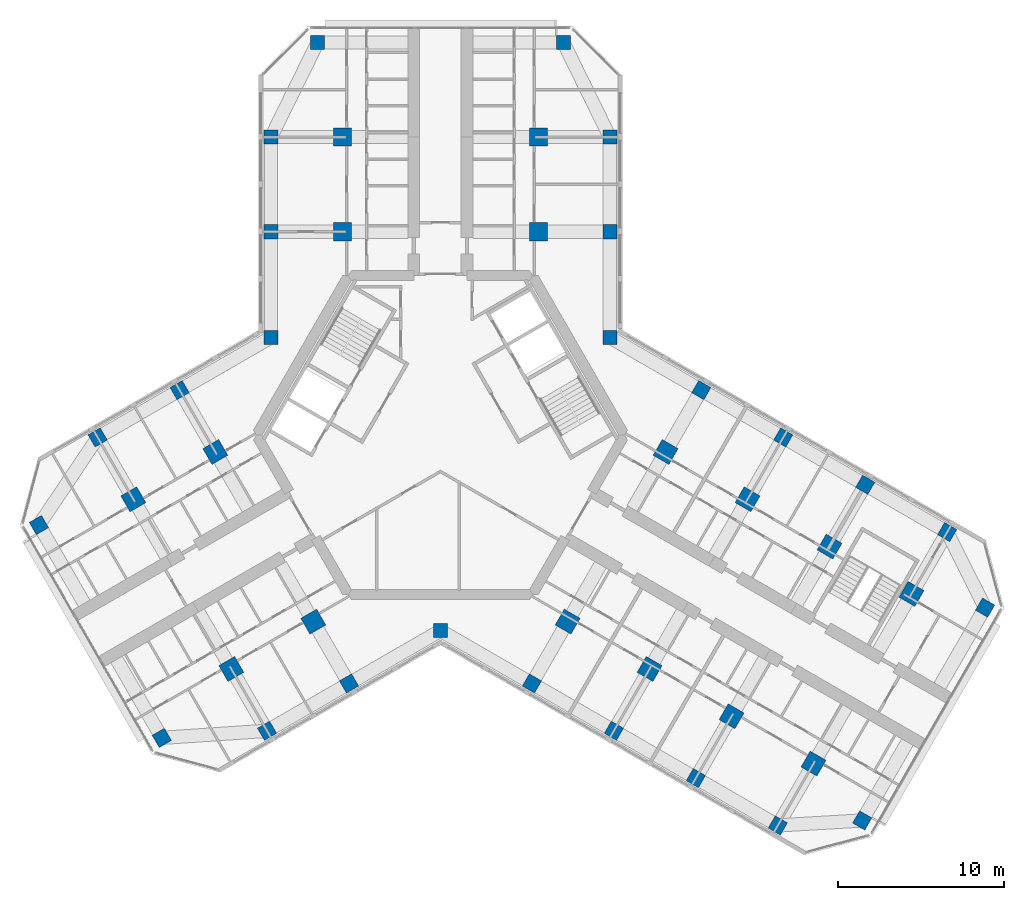
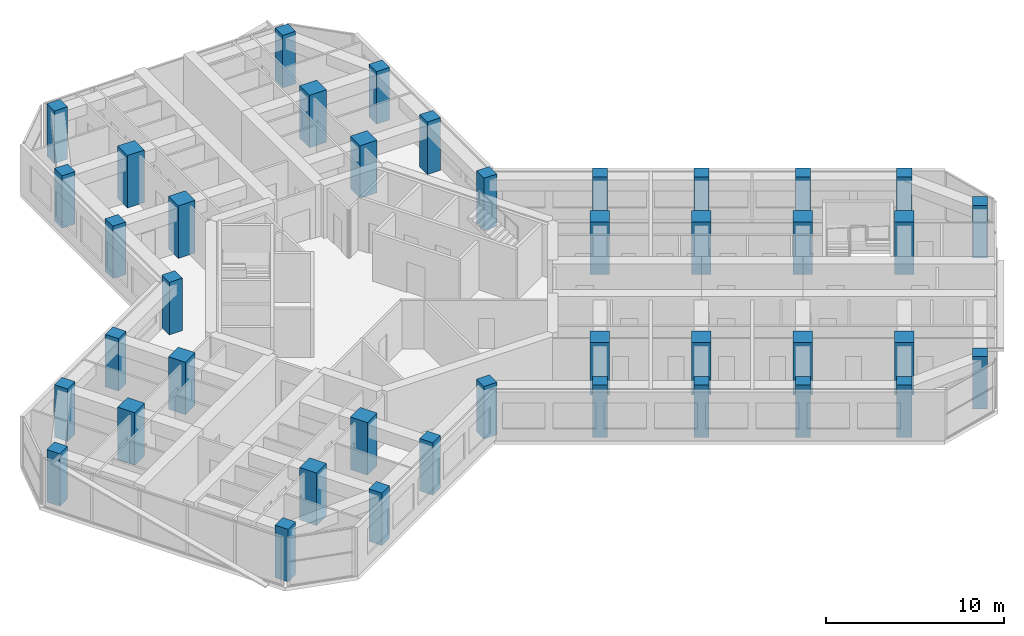
# One storey, part 1 of 16: 41 columns.
"""IFC4 building model written with IfcOpenShell, lengths in metres."""

from ifc_helpers import new_model, si_unit, direction, frame, origin, origin_2d, place, context, subcontext, project, spatial, rectangle, extrude, material, material_profile, profile_set, type_object, element, save


model = new_model("IFC4")

# Units and contexts
model_context = context("Model", 3, precision=1e-05, world=origin(), true_north=direction((0.0, 1.0)))
body_context = subcontext(model_context, "Body", "Model", "MODEL_VIEW")
ifc_project = project(units=[si_unit("LENGTHUNIT", "METRE"), si_unit("AREAUNIT", "SQUARE_METRE"), si_unit("VOLUMEUNIT", "CUBIC_METRE"), si_unit("PLANEANGLEUNIT", "RADIAN"), si_unit("MASSUNIT", "GRAM", prefix="KILO")], contexts=[model_context])

# Site, building, storey
site_placement = place(None, origin())
site = spatial("IfcSite", under=ifc_project, at=site_placement, CompositionType="ELEMENT")
building_placement = place(site_placement, origin())
building = spatial("IfcBuilding", under=site, at=building_placement, Name="Kosmar Iwan School Tower", CompositionType="ELEMENT")
storey_placement = place(building_placement, frame((0.0, 0.0, 249.60009765625)))
storey = spatial("IfcBuildingStorey", under=building, at=storey_placement, Name="L63", CompositionType="ELEMENT", Elevation=249.60009765625)

# Columns
ifc_material_1 = material(Name="Concrete C50/60", Category="concrete")
ifc_material_profile_1 = material_profile(ifc_material_1, rectangle(XDim=0.85009765625, YDim=0.85009765625, at=origin_2d()), Name="RC 850x850 + HD 400x347")
ifc_profile_set_1 = profile_set([ifc_material_profile_1], Name="Concrete C50/60")
column_type_1 = type_object("IfcColumnType", Name="Composite column 850x850 HD 400x347", PredefinedType="COLUMN", material=ifc_profile_set_1)
for number, where, z_axis, x_axis, name in (
    (1, (-10.199951171875, 12.25, 0.0), (0.0, 0.0, 1.0), (0.0, 1.0, 0.0), "Column AL1 L63"),
    (2, (-10.199951171875, 17.949951171875, 0.0), (0.0, 0.0, 1.0), (0.0, 1.0, 0.0), "Column AL2 L63"),
    (3, (-7.39990234375, 23.64990234375, 0.0), (0.0, 0.0, 1.0), (0.0, 1.0, 0.0), "Column ALTIP L63"),
    (4, (10.199951171875, 12.25, 0.0), (0.0, 0.0, 1.0), (0.0, 1.0, 0.0), "Column AR1 L63"),
    (5, (10.199951171875, 17.949951171875, 0.0), (0.0, 0.0, 1.0), (0.0, 1.0, 0.0), "Column AR2 L63"),
    (6, (7.39990234375, 23.64990234375, 0.0), (0.0, 0.0, 1.0), (0.0, 1.0, 0.0), "Column ARTIP L63"),
    (7, (-5.5087890625, -14.95849609375, 0.0), (0.0, 0.0, 1.0), (-0.866025403784, -0.5, 0.0), "Column BL1 L63"),
    (8, (-10.445068359375, -17.808349609375, 0.0), (0.0, 0.0, 1.0), (-0.866025403784, -0.5, 0.0), "Column BL2 L63"),
    (9, (-16.781494140625, -18.233642578125, 0.0), (0.0, 0.0, 1.0), (-0.866025403784, -0.5, 0.0), "Column BLTIP L63"),
    (10, (-15.708740234375, 2.70849609375, 0.0), (0.0, 0.0, 1.0), (-0.866025403784, -0.5, 0.0), "Column BR1 L63"),
    (11, (-20.645263671875, -0.1416015625, 0.0), (0.0, 0.0, 1.0), (-0.866025403784, -0.5, 0.0), "Column BR2 L63"),
    (12, (-24.181396484375, -5.41650390625, 0.0), (0.0, 0.0, 1.0), (-0.866025403784, -0.5, 0.0), "Column BRTIP L63"),
    (13, (15.708740234375, 2.70849609375, 0.0), (0.0, 0.0, 1.0), (0.866025403784, -0.5, 0.0), "Column CL1 L63"),
    (14, (20.645263671875, -0.1416015625, 0.0), (0.0, 0.0, 1.0), (0.866025403784, -0.5, 0.0), "Column CL2 L63"),
    (15, (25.58154296875, -2.991455078125, 0.0), (0.0, 0.0, 1.0), (0.866025403784, -0.5, 0.0), "Column CL3 L63"),
    (16, (30.517822265625, -5.841552734375, 0.0), (0.0, 0.0, 1.0), (0.866025403784, -0.5, 0.0), "Column CL4 L63"),
    (17, (32.79833984375, -10.391357421875, 0.0), (0.0, 0.0, 1.0), (0.866025403784, -0.5, 0.0), "Column CLTIP L63"),
    (18, (5.5087890625, -14.95849609375, 0.0), (0.0, 0.0, 1.0), (0.866025403784, -0.5, 0.0), "Column CR1 L63"),
    (19, (10.445068359375, -17.808349609375, 0.0), (0.0, 0.0, 1.0), (0.866025403784, -0.5, 0.0), "Column CR2 L63"),
    (20, (15.381591796875, -20.658447265625, 0.0), (0.0, 0.0, 1.0), (0.866025403784, -0.5, 0.0), "Column CR3 L63"),
    (21, (20.31787109375, -23.508544921875, 0.0), (0.0, 0.0, 1.0), (0.866025403784, -0.5, 0.0), "Column CR4 L63"),
    (22, (25.3984375, -23.20849609375, 0.0), (0.0, 0.0, 1.0), (0.866025403784, -0.5, 0.0), "Column CRTIP L63"),
    (23, (-10.199951171875, 5.888916015625, 0.0), (0.0, 0.0, 1.0), (1.0, 0.0, 0.0), "Column RAB L63"),
    (24, (10.199951171875, 5.888916015625, 0.0), (0.0, 0.0, 1.0), (1.0, 0.0, 0.0), "Column RAC L63"),
    (25, (0.0, -11.77783203125, 0.0), (0.0, 0.0, 1.0), (1.0, 0.0, 0.0), "Column RBC L63"),
):
    element("IfcColumn", number, at=place(storey_placement, frame(where, z_axis=z_axis, x_axis=x_axis)), inside=storey, type_object=column_type_1, Name=name, PredefinedType="COLUMN", context=body_context, shape_type="SweptSolid", body=[
        extrude(rectangle(XDim=0.85009765625, YDim=0.85009765625, at=origin_2d()), origin(), (0.0, 0.0, 1.0), 3.599853515625),
    ])
ifc_material_2 = material(Name="Concrete C50/60", Category="concrete")
ifc_material_profile_2 = material_profile(ifc_material_2, rectangle(XDim=1.10009765625, YDim=1.10009765625, at=origin_2d()), Name="RC 1100x1100")
ifc_profile_set_2 = profile_set([ifc_material_profile_2], Name="Concrete C50/60")
column_type_2 = type_object("IfcColumnType", Name="RC interior column 1100x1100", PredefinedType="COLUMN", material=ifc_profile_set_2)
for number, where, z_axis, x_axis, name in (
    (26, (-5.89990234375, 12.25, 0.0), (0.0, 0.0, 1.0), (0.0, 1.0, 0.0), "Interior column ALI1 L63"),
    (27, (-5.89990234375, 17.949951171875, 0.0), (0.0, 0.0, 1.0), (0.0, 1.0, 0.0), "Interior column ALI2 L63"),
    (28, (5.89990234375, 12.25, 0.0), (0.0, 0.0, 1.0), (0.0, 1.0, 0.0), "Interior column ARI1 L63"),
    (29, (5.89990234375, 17.949951171875, 0.0), (0.0, 0.0, 1.0), (0.0, 1.0, 0.0), "Interior column ARI2 L63"),
    (30, (-7.65869140625, -11.234619140625, 0.0), (0.0, 0.0, 1.0), (-0.866025403784, -0.5, 0.0), "Interior column BLI1 L63"),
    (31, (-12.59521484375, -14.08447265625, 0.0), (0.0, 0.0, 1.0), (-0.866025403784, -0.5, 0.0), "Interior column BLI2 L63"),
    (32, (-13.558837890625, -1.015380859375, 0.0), (0.0, 0.0, 1.0), (-0.866025403784, -0.5, 0.0), "Interior column BRI1 L63"),
    (33, (-18.4951171875, -3.865478515625, 0.0), (0.0, 0.0, 1.0), (-0.866025403784, -0.5, 0.0), "Interior column BRI2 L63"),
    (34, (13.558837890625, -1.015380859375, 0.0), (0.0, 0.0, 1.0), (0.866025403784, -0.5, 0.0), "Interior column CLI1 L63"),
    (35, (18.4951171875, -3.865478515625, 0.0), (0.0, 0.0, 1.0), (0.866025403784, -0.5, 0.0), "Interior column CLI2 L63"),
    (36, (23.431396484375, -6.71533203125, 0.0), (0.0, 0.0, 1.0), (0.866025403784, -0.5, 0.0), "Interior column CLI3 L63"),
    (37, (28.367919921875, -9.5654296875, 0.0), (0.0, 0.0, 1.0), (0.866025403784, -0.5, 0.0), "Interior column CLI4 L63"),
    (38, (7.65869140625, -11.234619140625, 0.0), (0.0, 0.0, 1.0), (0.866025403784, -0.5, 0.0), "Interior column CRI1 L63"),
    (39, (12.59521484375, -14.08447265625, 0.0), (0.0, 0.0, 1.0), (0.866025403784, -0.5, 0.0), "Interior column CRI2 L63"),
    (40, (17.531494140625, -16.9345703125, 0.0), (0.0, 0.0, 1.0), (0.866025403784, -0.5, 0.0), "Interior column CRI3 L63"),
    (41, (22.4677734375, -19.78466796875, 0.0), (0.0, 0.0, 1.0), (0.866025403784, -0.5, 0.0), "Interior column CRI4 L63"),
):
    element("IfcColumn", number, at=place(storey_placement, frame(where, z_axis=z_axis, x_axis=x_axis)), inside=storey, type_object=column_type_2, Name=name, PredefinedType="COLUMN", context=body_context, shape_type="SweptSolid", body=[
        extrude(rectangle(XDim=1.10009765625, YDim=1.10009765625, at=origin_2d()), origin(), (0.0, 0.0, 1.0), 3.599853515625),
    ])

save(model, "model.ifc")
